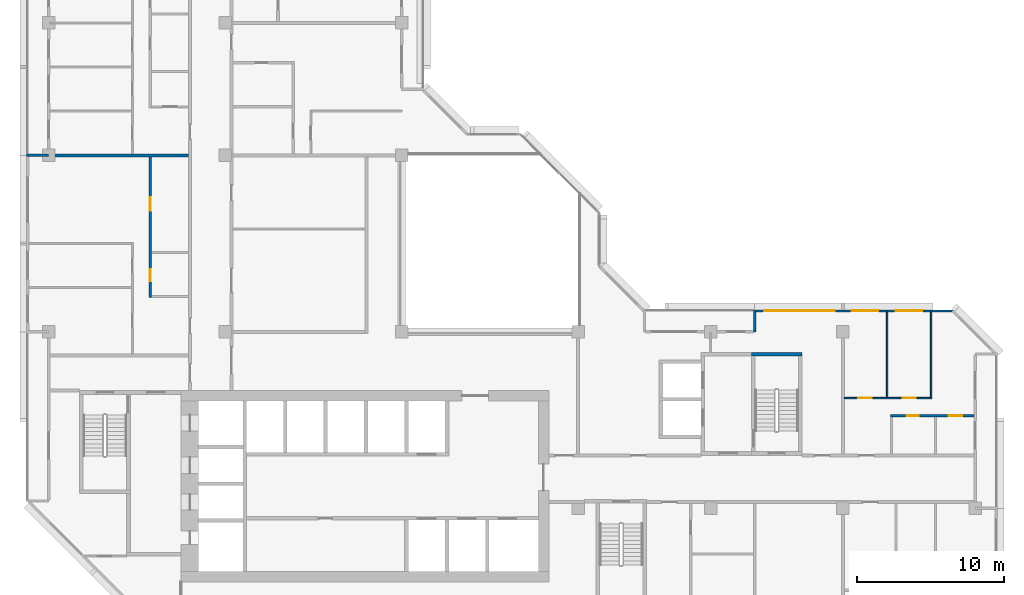
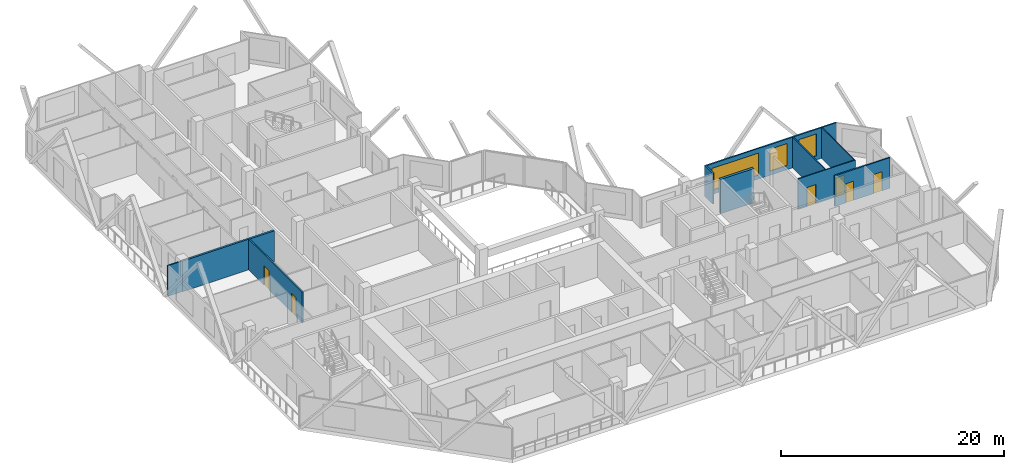
# One storey, part 8 of 14: 10 walls, 6 doors, 3 windows, 9 openings.
"""IFC4 building model written with IfcOpenShell, lengths in metres."""

from ifc_helpers import new_model, si_unit, direction, frame, frame_2d, origin, place, context, subcontext, project, spatial, rectangle, extrude, material, layer, layer_set, type_object, element, fill, save


model = new_model("IFC4")

# Units and contexts
model_context = context("Model", 3, precision=1e-05, world=origin(), true_north=direction((0.0, 1.0)))
body_context = subcontext(model_context, "Body", "Model", "MODEL_VIEW")
ifc_project = project(units=[si_unit("LENGTHUNIT", "METRE"), si_unit("AREAUNIT", "SQUARE_METRE"), si_unit("VOLUMEUNIT", "CUBIC_METRE"), si_unit("PLANEANGLEUNIT", "RADIAN"), si_unit("MASSUNIT", "GRAM", prefix="KILO")], contexts=[model_context])

# Site, building, storey
site_placement = place(None, origin())
site = spatial("IfcSite", under=ifc_project, at=site_placement, CompositionType="ELEMENT")
building_placement = place(site_placement, origin())
building = spatial("IfcBuilding", under=site, at=building_placement, Name="Chenar Terraces", CompositionType="ELEMENT")
storey_placement = place(building_placement, frame((0.0, 0.0, 226.64990234375)))
storey = spatial("IfcBuildingStorey", under=building, at=storey_placement, Name="L53", CompositionType="ELEMENT", Elevation=226.64990234375)

# Wall
ifc_material_1 = material(Name="Concrete C60/75", Category="concrete")
ifc_layer_1 = layer(ifc_material_1, 0.25)
ifc_layer_set_1 = layer_set([ifc_layer_1], Name="Concrete C60/75")
wall_type_1 = type_object("IfcWallType", Name="Core wall 250 Concrete C60/75", PredefinedType="SHEAR", material=ifc_layer_set_1)
wall_1_placement = place(storey_placement, frame((47.77490234375, 22.47509765625, 0.0), z_axis=(0.0, 0.0, 1.0), x_axis=(1.0, 0.0, 0.0)))
element("IfcWall", 1, at=wall_1_placement, inside=storey, type_object=wall_type_1, Name="Core wall ST3_N L53", PredefinedType="SHEAR", context=body_context, shape_type="SweptSolid", body=[
    extrude(rectangle(XDim=3.4501953125, YDim=0.25, at=frame_2d((1.72509765625, 0.0))), origin(), (0.0, 0.0, 1.0), 3.75),
])

# Wall, openings, windows
ifc_material_2 = material(Name="Aluminium framed glazing", Category="aluminium")
ifc_layer_2 = layer(ifc_material_2, 0.14990234375)
ifc_layer_set_2 = layer_set([ifc_layer_2], Name="Aluminium framed glazing")
wall_type_2 = type_object("IfcWallType", Name="Glazed flush facade wall 150", PredefinedType="SOLIDWALL", material=ifc_layer_set_2)
wall_2_placement = place(storey_placement, frame((61.5, 25.425048828125, 0.0), z_axis=(0.0, 0.0, 1.0), x_axis=(-1.0, 0.0, 0.0)))
wall_2 = element("IfcWall", 2, at=wall_2_placement, inside=storey, type_object=wall_type_2, Name="Glazed flush facade wall", PredefinedType="SOLIDWALL", context=body_context, shape_type="SweptSolid", body=[
    extrude(rectangle(XDim=13.425048828125, YDim=0.14990234375, at=frame_2d((6.71240234375, 0.0))), origin(), (0.0, 0.0, 1.0), 3.35009765625),
])
opening_1_placement = place(wall_2_placement, frame((2.10009765625, 0.0, 0.449951171875)))
opening_1 = element("IfcOpeningElement", 3, at=opening_1_placement, cuts=wall_2, Name="Opening W180x240", PredefinedType="OPENING", context=body_context, shape_type="SweptSolid", body=[
    extrude(rectangle(XDim=1.800048828125, YDim=2.39990234375, at=frame_2d((0.89990234375, 1.199951171875))), frame((0.0, 0.0849609375, 0.0), z_axis=(0.0, -1.0, 0.0), x_axis=(1.0, 0.0, 0.0)), (0.0, 0.0, 1.0), 0.169921875),
])
opening_2_placement = place(wall_2_placement, frame((5.10009765625, 0.0, 0.449951171875)))
opening_2 = element("IfcOpeningElement", 4, at=opening_2_placement, cuts=wall_2, Name="Opening W180x240", PredefinedType="OPENING", context=body_context, shape_type="SweptSolid", body=[
    extrude(rectangle(XDim=1.800048828125, YDim=2.39990234375, at=frame_2d((0.89990234375, 1.199951171875))), frame((0.0, 0.0849609375, 0.0), z_axis=(0.0, -1.0, 0.0), x_axis=(1.0, 0.0, 0.0)), (0.0, 0.0, 1.0), 0.169921875),
])
opening_3_placement = place(wall_2_placement, frame((8.0625, 0.0, 0.449951171875)))
opening_3 = element("IfcOpeningElement", 5, at=opening_3_placement, cuts=wall_2, Name="Opening W480x240", PredefinedType="OPENING", context=body_context, shape_type="SweptSolid", body=[
    extrude(rectangle(XDim=4.800048828125, YDim=2.39990234375, at=frame_2d((2.39990234375, 1.199951171875))), frame((0.0, 0.0849609375, 0.0), z_axis=(0.0, -1.0, 0.0), x_axis=(1.0, 0.0, 0.0)), (0.0, 0.0, 1.0), 0.169921875),
])
ifc_material_3 = material(Name="Low emissivity double glazing, aluminium frame", Category="aluminium")
window_type_1 = type_object("IfcWindowType", Name="Fixed light 1800 x 2400", PartitioningType="SINGLE_PANEL", PredefinedType="WINDOW", material=ifc_material_3)
window_1_placement = place(opening_1_placement, origin())
window_1 = element("IfcWindow", 6, at=window_1_placement, inside=storey, type_object=window_type_1, Name="Window", OverallHeight=2.39990234375, OverallWidth=1.800048828125, PartitioningType="SINGLE_PANEL", PredefinedType="WINDOW", context=body_context, shape_type="SweptSolid", body=[
    extrude(rectangle(XDim=1.800048828125, YDim=2.39990234375, at=frame_2d((0.89990234375, 1.199951171875))), frame((0.0, 0.030029296875, 0.0), z_axis=(0.0, -1.0, 0.0), x_axis=(1.0, 0.0, 0.0)), (0.0, 0.0, 1.0), 0.06005859375),
])
fill(opening_1, window_1)
window_2_placement = place(opening_2_placement, origin())
window_2 = element("IfcWindow", 7, at=window_2_placement, inside=storey, type_object=window_type_1, Name="Window", OverallHeight=2.39990234375, OverallWidth=1.800048828125, PartitioningType="SINGLE_PANEL", PredefinedType="WINDOW", context=body_context, shape_type="SweptSolid", body=[
    extrude(rectangle(XDim=1.800048828125, YDim=2.39990234375, at=frame_2d((0.89990234375, 1.199951171875))), frame((0.0, 0.030029296875, 0.0), z_axis=(0.0, -1.0, 0.0), x_axis=(1.0, 0.0, 0.0)), (0.0, 0.0, 1.0), 0.06005859375),
])
fill(opening_2, window_2)
ifc_material_4 = material(Name="Low emissivity double glazing, aluminium frame", Category="aluminium")
window_type_2 = type_object("IfcWindowType", Name="Fixed light 4800 x 2400", PartitioningType="SINGLE_PANEL", PredefinedType="WINDOW", material=ifc_material_4)
window_3_placement = place(opening_3_placement, origin())
window_3 = element("IfcWindow", 8, at=window_3_placement, inside=storey, type_object=window_type_2, Name="Window", OverallHeight=2.39990234375, OverallWidth=4.800048828125, PartitioningType="SINGLE_PANEL", PredefinedType="WINDOW", context=body_context, shape_type="SweptSolid", body=[
    extrude(rectangle(XDim=4.800048828125, YDim=2.39990234375, at=frame_2d((2.39990234375, 1.199951171875))), frame((0.0, 0.030029296875, 0.0), z_axis=(0.0, -1.0, 0.0), x_axis=(1.0, 0.0, 0.0)), (0.0, 0.0, 1.0), 0.06005859375),
])
fill(opening_3, window_3)

# Wall, openings, doors
ifc_material_5 = material(Name="Gypsum board on steel studs", Category="steel")
ifc_layer_3 = layer(ifc_material_5, 0.10009765625)
ifc_layer_set_3 = layer_set([ifc_layer_3], Name="Gypsum board on steel studs")
wall_type_3 = type_object("IfcWallType", Name="Gypsum partition 100", PredefinedType="PARTITIONING", material=ifc_layer_set_3)
wall_3_placement = place(storey_placement, frame((54.10009765625, 19.5, 0.0), z_axis=(0.0, 0.0, 1.0), x_axis=(1.0, 0.0, 0.0)))
wall_3 = element("IfcWall", 9, at=wall_3_placement, inside=storey, type_object=wall_type_3, Name="Partition L53-076", PredefinedType="PARTITIONING", context=body_context, shape_type="SweptSolid", body=[
    extrude(rectangle(XDim=5.949951171875, YDim=0.10009765625, at=frame_2d((2.97509765625, 0.0))), origin(), (0.0, 0.0, 1.0), 3.35009765625),
])
opening_4_placement = place(wall_3_placement, frame((0.949951171875, 0.0, 0.0)))
opening_4 = element("IfcOpeningElement", 10, at=opening_4_placement, cuts=wall_3, Name="Opening DL53-5", PredefinedType="OPENING", context=body_context, shape_type="SweptSolid", body=[
    extrude(rectangle(XDim=0.89990234375, YDim=2.10009765625, at=frame_2d((0.449951171875, 1.050048828125))), frame((0.0, 0.06005859375, 0.0), z_axis=(0.0, -1.0, 0.0), x_axis=(1.0, 0.0, 0.0)), (0.0, 0.0, 1.0), 0.1201171875),
])
opening_5_placement = place(wall_3_placement, frame((3.949951171875, 0.0, 0.0)))
opening_5 = element("IfcOpeningElement", 11, at=opening_5_placement, cuts=wall_3, Name="Opening DL53-6", PredefinedType="OPENING", context=body_context, shape_type="SweptSolid", body=[
    extrude(rectangle(XDim=0.89990234375, YDim=2.10009765625, at=frame_2d((0.449951171875, 1.050048828125))), frame((0.0, 0.06005859375, 0.0), z_axis=(0.0, -1.0, 0.0), x_axis=(1.0, 0.0, 0.0)), (0.0, 0.0, 1.0), 0.1201171875),
])
ifc_material_6 = material(Name="Veneered timber door leaf", Category="wood")
door_type_1 = type_object("IfcDoorType", Name="Door 900 x 2100", OperationType="SINGLE_SWING_LEFT", PredefinedType="DOOR", material=ifc_material_6)
door_1_placement = place(opening_4_placement, origin())
door_1 = element("IfcDoor", 12, at=door_1_placement, inside=storey, type_object=door_type_1, Name="Door DL53-5", OperationType="SINGLE_SWING_RIGHT", OverallHeight=2.10009765625, OverallWidth=0.89990234375, PredefinedType="DOOR", context=body_context, shape_type="SweptSolid", body=[
    extrude(rectangle(XDim=0.89990234375, YDim=2.10009765625, at=frame_2d((0.449951171875, 1.050048828125))), frame((0.0, 0.02490234375, 0.0), z_axis=(0.0, -1.0, 0.0), x_axis=(1.0, 0.0, 0.0)), (0.0, 0.0, 1.0), 0.050048828125),
])
fill(opening_4, door_1)
door_2_placement = place(opening_5_placement, origin())
door_2 = element("IfcDoor", 13, at=door_2_placement, inside=storey, type_object=door_type_1, Name="Door DL53-6", OperationType="SINGLE_SWING_RIGHT", OverallHeight=2.10009765625, OverallWidth=0.89990234375, PredefinedType="DOOR", context=body_context, shape_type="SweptSolid", body=[
    extrude(rectangle(XDim=0.89990234375, YDim=2.10009765625, at=frame_2d((0.449951171875, 1.050048828125))), frame((0.0, 0.02490234375, 0.0), z_axis=(0.0, -1.0, 0.0), x_axis=(1.0, 0.0, 0.0)), (0.0, 0.0, 1.0), 0.050048828125),
])
fill(opening_5, door_2)

# Walls
wall_4_placement = place(storey_placement, frame((57.0, 19.550048828125, 0.0), z_axis=(0.0, 0.0, 1.0), x_axis=(0.0, 1.0, 0.0)))
element("IfcWall", 14, at=wall_4_placement, inside=storey, type_object=wall_type_3, Name="Partition L53-078", PredefinedType="PARTITIONING", context=body_context, shape_type="SweptSolid", body=[
    extrude(rectangle(XDim=5.801025390625, YDim=0.10009765625, at=frame_2d((2.900390625, 0.0))), origin(), (0.0, 0.0, 1.0), 3.35009765625),
])
wall_5_placement = place(storey_placement, frame((60.0, 19.550048828125, 0.0), z_axis=(0.0, 0.0, 1.0), x_axis=(0.0, 1.0, 0.0)))
element("IfcWall", 15, at=wall_5_placement, inside=storey, type_object=wall_type_3, Name="Partition L53-084", PredefinedType="PARTITIONING", context=body_context, shape_type="SweptSolid", body=[
    extrude(rectangle(XDim=5.800048828125, YDim=0.10009765625, at=frame_2d((2.89990234375, 0.0))), origin(), (0.0, 0.0, 1.0), 3.35009765625),
])
ifc_material_7 = material(Name="Terracotta cladding on insulated backing", Category="masonry")
ifc_layer_4 = layer(ifc_material_7, 0.14990234375)
ifc_layer_set_4 = layer_set([ifc_layer_4], Name="Terracotta cladding on insulated backing")
wall_type_4 = type_object("IfcWallType", Name="Loggia return wall 150", PredefinedType="SOLIDWALL", material=ifc_layer_set_4)
for number, where, z_axis, x_axis, name in (
    (16, (48.0, 25.5, 0.0), (0.0, 0.0, 1.0), (0.0, -1.0, 0.0), "Loggia return wall"),
    (17, (-1.5, 36.0, 0.0), (0.0, 0.0, 1.0), (1.0, 0.0, 0.0), "Loggia return wall"),
):
    element("IfcWall", number, at=place(storey_placement, frame(where, z_axis=z_axis, x_axis=x_axis)), inside=storey, type_object=wall_type_4, Name=name, PredefinedType="SOLIDWALL", context=body_context, shape_type="SweptSolid", body=[
        extrude(rectangle(XDim=1.5, YDim=0.14990234375, at=frame_2d((0.75, 0.0))), origin(), (0.0, 0.0, 1.0), 3.35009765625),
    ])
ifc_material_8 = material(Name="Twin gypsum board on steel studs with mineral wool", Category="steel")
ifc_layer_5 = layer(ifc_material_8, 0.199951171875)
ifc_layer_set_5 = layer_set([ifc_layer_5], Name="Twin gypsum board on steel studs with mineral wool")
wall_type_5 = type_object("IfcWallType", Name="Unit demising wall 200", PredefinedType="PARTITIONING", material=ifc_layer_set_5)
wall_6_placement = place(storey_placement, frame((0.0, 36.0, 0.0), z_axis=(0.0, 0.0, 1.0), x_axis=(1.0, 0.0, 0.0)))
element("IfcWall", 18, at=wall_6_placement, inside=storey, type_object=wall_type_5, Name="Partition L53-005", PredefinedType="PARTITIONING", context=body_context, shape_type="SweptSolid", body=[
    extrude(rectangle(XDim=9.5, YDim=0.199951171875, at=frame_2d((4.75, 0.0))), origin(), (0.0, 0.0, 1.0), 3.35009765625),
])

# Wall, openings, doors
ifc_material_9 = material(Name="Moisture-resistant gypsum board on steel studs", Category="steel")
ifc_layer_6 = layer(ifc_material_9, 0.14990234375)
ifc_layer_set_6 = layer_set([ifc_layer_6], Name="Moisture-resistant gypsum board on steel studs")
wall_type_6 = type_object("IfcWallType", Name="Wet-room partition 150", PredefinedType="PARTITIONING", material=ifc_layer_set_6)
wall_7_placement = place(storey_placement, frame((6.89990234375, 26.324951171875, 0.0), z_axis=(0.0, 0.0, 1.0), x_axis=(0.0, 1.0, 0.0)))
wall_7 = element("IfcWall", 19, at=wall_7_placement, inside=storey, type_object=wall_type_6, Name="Partition L53-015", PredefinedType="PARTITIONING", context=body_context, shape_type="SweptSolid", body=[
    extrude(rectangle(XDim=9.574951171875, YDim=0.14990234375, at=frame_2d((4.78759765625, 0.0))), origin(), (0.0, 0.0, 1.0), 3.35009765625),
])
opening_6_placement = place(wall_7_placement, frame((1.125, 0.0, 0.0)))
opening_6 = element("IfcOpeningElement", 20, at=opening_6_placement, cuts=wall_7, Name="Opening DL53-60", PredefinedType="OPENING", context=body_context, shape_type="SweptSolid", body=[
    extrude(rectangle(XDim=0.800048828125, YDim=2.10009765625, at=frame_2d((0.39990234375, 1.050048828125))), frame((0.0, 0.0849609375, 0.0), z_axis=(0.0, -1.0, 0.0), x_axis=(1.0, 0.0, 0.0)), (0.0, 0.0, 1.0), 0.169921875),
])
opening_7_placement = place(wall_7_placement, frame((5.925048828125, 0.0, 0.0)))
opening_7 = element("IfcOpeningElement", 21, at=opening_7_placement, cuts=wall_7, Name="Opening DL53-63", PredefinedType="OPENING", context=body_context, shape_type="SweptSolid", body=[
    extrude(rectangle(XDim=0.89990234375, YDim=2.10009765625, at=frame_2d((0.449951171875, 1.050048828125))), frame((0.0, 0.0849609375, 0.0), z_axis=(0.0, -1.0, 0.0), x_axis=(1.0, 0.0, 0.0)), (0.0, 0.0, 1.0), 0.169921875),
])
ifc_material_10 = material(Name="Veneered timber door leaf", Category="wood")
door_type_2 = type_object("IfcDoorType", Name="Door 800 x 2100", OperationType="SINGLE_SWING_LEFT", PredefinedType="DOOR", material=ifc_material_10)
door_3_placement = place(opening_6_placement, frame((0.800048828125, 0.0, 0.0), z_axis=(0.0, 0.0, 1.0), x_axis=(-1.0, 0.0, 0.0)))
door_3 = element("IfcDoor", 22, at=door_3_placement, inside=storey, type_object=door_type_2, Name="Door DL53-60", OperationType="SINGLE_SWING_RIGHT", OverallHeight=2.10009765625, OverallWidth=0.800048828125, PredefinedType="DOOR", context=body_context, shape_type="SweptSolid", body=[
    extrude(rectangle(XDim=0.800048828125, YDim=2.10009765625, at=frame_2d((0.39990234375, 1.050048828125))), frame((0.0, 0.02490234375, 0.0), z_axis=(0.0, -1.0, 0.0), x_axis=(1.0, 0.0, 0.0)), (0.0, 0.0, 1.0), 0.050048828125),
])
fill(opening_6, door_3)
door_4_placement = place(opening_7_placement, frame((0.89990234375, 0.0, 0.0), z_axis=(0.0, 0.0, 1.0), x_axis=(-1.0, 0.0, 0.0)))
door_4 = element("IfcDoor", 23, at=door_4_placement, inside=storey, type_object=door_type_1, Name="Door DL53-63", OperationType="SINGLE_SWING_RIGHT", OverallHeight=2.10009765625, OverallWidth=0.89990234375, PredefinedType="DOOR", context=body_context, shape_type="SweptSolid", body=[
    extrude(rectangle(XDim=0.89990234375, YDim=2.10009765625, at=frame_2d((0.449951171875, 1.050048828125))), frame((0.0, 0.02490234375, 0.0), z_axis=(0.0, -1.0, 0.0), x_axis=(1.0, 0.0, 0.0)), (0.0, 0.0, 1.0), 0.050048828125),
])
fill(opening_7, door_4)

wall_8_placement = place(storey_placement, frame((57.22509765625, 18.300048828125, 0.0), z_axis=(0.0, 0.0, 1.0), x_axis=(1.0, 0.0, 0.0)))
wall_8 = element("IfcWall", 24, at=wall_8_placement, inside=storey, type_object=wall_type_6, Name="Partition L53-079", PredefinedType="PARTITIONING", context=body_context, shape_type="SweptSolid", body=[
    extrude(rectangle(XDim=5.700927734375, YDim=0.14990234375, at=frame_2d((2.8505859375, 0.0))), origin(), (0.0, 0.0, 1.0), 3.35009765625),
])
opening_8_placement = place(wall_8_placement, frame((1.125, 0.0, 0.0)))
opening_8 = element("IfcOpeningElement", 25, at=opening_8_placement, cuts=wall_8, Name="Opening DL53-4", PredefinedType="OPENING", context=body_context, shape_type="SweptSolid", body=[
    extrude(rectangle(XDim=0.800048828125, YDim=2.10009765625, at=frame_2d((0.39990234375, 1.050048828125))), frame((0.0, 0.0849609375, 0.0), z_axis=(0.0, -1.0, 0.0), x_axis=(1.0, 0.0, 0.0)), (0.0, 0.0, 1.0), 0.169921875),
])
opening_9_placement = place(wall_8_placement, frame((3.97509765625, 0.0, 0.0)))
opening_9 = element("IfcOpeningElement", 26, at=opening_9_placement, cuts=wall_8, Name="Opening DL53-7", PredefinedType="OPENING", context=body_context, shape_type="SweptSolid", body=[
    extrude(rectangle(XDim=0.89990234375, YDim=2.10009765625, at=frame_2d((0.449951171875, 1.050048828125))), frame((0.0, 0.0849609375, 0.0), z_axis=(0.0, -1.0, 0.0), x_axis=(1.0, 0.0, 0.0)), (0.0, 0.0, 1.0), 0.169921875),
])
door_5_placement = place(opening_8_placement, frame((0.800048828125, 0.0, 0.0), z_axis=(0.0, 0.0, 1.0), x_axis=(-1.0, 0.0, 0.0)))
door_5 = element("IfcDoor", 27, at=door_5_placement, inside=storey, type_object=door_type_2, Name="Door DL53-4", OperationType="SINGLE_SWING_RIGHT", OverallHeight=2.10009765625, OverallWidth=0.800048828125, PredefinedType="DOOR", context=body_context, shape_type="SweptSolid", body=[
    extrude(rectangle(XDim=0.800048828125, YDim=2.10009765625, at=frame_2d((0.39990234375, 1.050048828125))), frame((0.0, 0.02490234375, 0.0), z_axis=(0.0, -1.0, 0.0), x_axis=(1.0, 0.0, 0.0)), (0.0, 0.0, 1.0), 0.050048828125),
])
fill(opening_8, door_5)
door_6_placement = place(opening_9_placement, frame((0.89990234375, 0.0, 0.0), z_axis=(0.0, 0.0, 1.0), x_axis=(-1.0, 0.0, 0.0)))
door_6 = element("IfcDoor", 28, at=door_6_placement, inside=storey, type_object=door_type_1, Name="Door DL53-7", OperationType="SINGLE_SWING_LEFT", OverallHeight=2.10009765625, OverallWidth=0.89990234375, PredefinedType="DOOR", context=body_context, shape_type="SweptSolid", body=[
    extrude(rectangle(XDim=0.89990234375, YDim=2.10009765625, at=frame_2d((0.449951171875, 1.050048828125))), frame((0.0, 0.02490234375, 0.0), z_axis=(0.0, -1.0, 0.0), x_axis=(1.0, 0.0, 0.0)), (0.0, 0.0, 1.0), 0.050048828125),
])
fill(opening_9, door_6)

save(model, "model.ifc")
